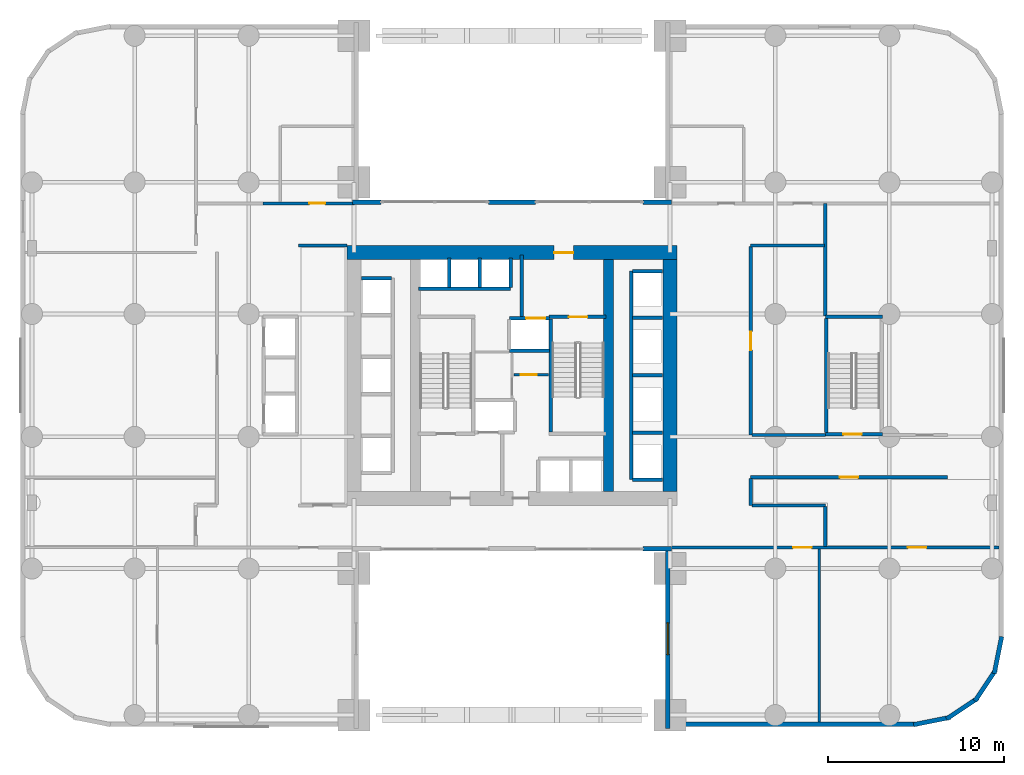
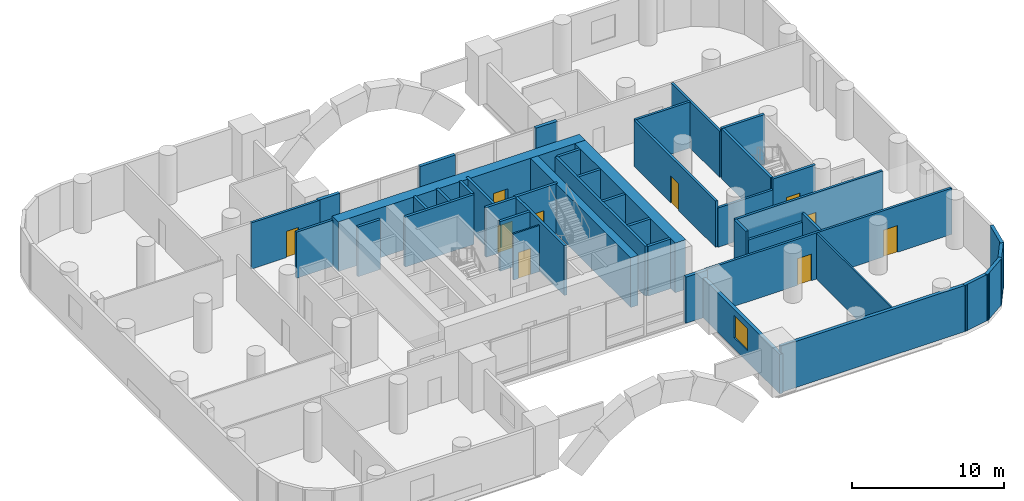
# One storey, part 6 of 9: 45 walls, 10 doors, 1 window, 11 openings.
"""IFC4 building model written with IfcOpenShell, lengths in metres."""

from ifc_helpers import new_model, si_unit, direction, frame, frame_2d, origin, place, context, subcontext, project, spatial, rectangle, extrude, material, layer, layer_set, type_object, element, fill, save


model = new_model("IFC4")

# Units and contexts
model_context = context("Model", 3, precision=1e-05, world=origin(), true_north=direction((0.0, 1.0)))
body_context = subcontext(model_context, "Body", "Model", "MODEL_VIEW")
ifc_project = project(units=[si_unit("LENGTHUNIT", "METRE"), si_unit("AREAUNIT", "SQUARE_METRE"), si_unit("VOLUMEUNIT", "CUBIC_METRE"), si_unit("PLANEANGLEUNIT", "RADIAN"), si_unit("MASSUNIT", "GRAM", prefix="KILO")], contexts=[model_context])

# Site, building, storey
site_placement = place(None, origin())
site = spatial("IfcSite", under=ifc_project, at=site_placement, CompositionType="ELEMENT")
building_placement = place(site_placement, origin())
building = spatial("IfcBuilding", under=site, at=building_placement, Name="Veldorim Arch Residences", CompositionType="ELEMENT")
storey_placement = place(building_placement, frame((0.0, 0.0, 8.0)))
storey = spatial("IfcBuildingStorey", under=building, at=storey_placement, Name="L02", CompositionType="ELEMENT", Elevation=8.0)

# Wall, opening, door
ifc_material_1 = material(Name="Acoustic Gypsum Board", Category="gypsum")
ifc_layer_1 = layer(ifc_material_1, 0.125, Name="Acoustic Stud Room Partition Wall 125")
ifc_layer_set_1 = layer_set([ifc_layer_1], Name="Acoustic Gypsum Board")
wall_type_1 = type_object("IfcWallType", Name="Acoustic Stud Room Partition Wall 125", PredefinedType="PARTITIONING", material=ifc_layer_set_1)
wall_1_placement = place(storey_placement, frame((32.110107421875, 24.0400390625, 0.0), z_axis=(0.0, 0.0, 1.0), x_axis=(1.0, 0.0, 0.0)))
wall_1 = element("IfcWall", 1, at=wall_1_placement, inside=storey, type_object=wall_type_1, Name="L02 interior wall WL-CA-L02-3", PredefinedType="PARTITIONING", context=body_context, shape_type="SweptSolid", body=[
    extrude(rectangle(XDim=1.969970703125, YDim=0.125, at=frame_2d((0.98486328125, 0.0))), origin(), (0.0, 0.0, 1.0), 3.715087890625),
])
opening_1_placement = place(wall_1_placement, frame((0.389892578125, 0.0, 0.0)))
opening_1 = element("IfcOpeningElement", 2, at=opening_1_placement, cuts=wall_1, Name="Opening DR-INT", PredefinedType="OPENING", context=body_context, shape_type="SweptSolid", body=[
    extrude(rectangle(XDim=0.89990234375, YDim=2.10009765625, at=frame_2d((0.449951171875, 1.050048828125))), frame((0.0, 0.072509765625, 0.0), z_axis=(0.0, -1.0, 0.0), x_axis=(1.0, 0.0, 0.0)), (0.0, 0.0, 1.0), 0.14501953125),
])
ifc_material_2 = material(Name="Engineered Timber", Category="wood")
door_type_1 = type_object("IfcDoorType", Name="Apartment Internal Room Timber Door 900x2100", OperationType="SINGLE_SWING_LEFT", PredefinedType="DOOR", material=ifc_material_2)
door_1_placement = place(opening_1_placement, origin())
door_1 = element("IfcDoor", 3, at=door_1_placement, inside=storey, type_object=door_type_1, Name="L02 interior door DR-L02-CA1", OperationType="SINGLE_SWING_LEFT", OverallHeight=2.10009765625, OverallWidth=0.89990234375, PredefinedType="DOOR", context=body_context, shape_type="SweptSolid", body=[
    extrude(rectangle(XDim=0.89990234375, YDim=2.10009765625, at=frame_2d((0.449951171875, 1.050048828125))), frame((0.0, 0.02490234375, 0.0), z_axis=(0.0, -1.0, 0.0), x_axis=(1.0, 0.0, 0.0)), (0.0, 0.0, 1.0), 0.050048828125),
])
fill(opening_1, door_1)

# Wall
wall_2_placement = place(storey_placement, frame((49.5, 14.10009765625, 0.0), z_axis=(0.0, 0.0, 1.0), x_axis=(0.0, -1.0, 0.0)))
element("IfcWall", 4, at=wall_2_placement, inside=storey, type_object=wall_type_1, Name="L02 interior wall WL-POD-L02-027", PredefinedType="PARTITIONING", context=body_context, shape_type="SweptSolid", body=[
    extrude(rectangle(XDim=9.85009765625, YDim=0.125, at=frame_2d((4.925048828125, 0.0))), origin(), (0.0, 0.0, 1.0), 3.715087890625),
])

# Wall, opening, door
ifc_material_3 = material(Name="Lightweight Masonry Block & Gypsum", Category="masonry")
ifc_layer_2 = layer(ifc_material_3, 0.179931640625, Name="Compartment & Corridor Fire-Rated Party Wall 180")
ifc_layer_set_2 = layer_set([ifc_layer_2], Name="Lightweight Masonry Block & Gypsum")
wall_type_2 = type_object("IfcWallType", Name="Compartment & Corridor Fire-Rated Party Wall 180", PredefinedType="PARTITIONING", material=ifc_layer_set_2)
wall_3_placement = place(storey_placement, frame((17.800048828125, 33.800048828125, 0.0), z_axis=(0.0, 0.0, 1.0), x_axis=(1.0, 0.0, 0.0)))
wall_3 = element("IfcWall", 5, at=wall_3_placement, inside=storey, type_object=wall_type_2, Name="L02 interior wall WL-POD-L02-006", PredefinedType="PARTITIONING", context=body_context, shape_type="SweptSolid", body=[
    extrude(rectangle(XDim=5.219970703125, YDim=0.179931640625, at=frame_2d((2.60986328125, 0.0))), origin(), (0.0, 0.0, 1.0), 3.715087890625),
])
opening_2_placement = place(wall_3_placement, frame((2.64990234375, 0.0, 0.0)))
opening_2 = element("IfcOpeningElement", 6, at=opening_2_placement, cuts=wall_3, Name="Opening DR-WC", PredefinedType="OPENING", context=body_context, shape_type="SweptSolid", body=[
    extrude(rectangle(XDim=0.89990234375, YDim=2.10009765625, at=frame_2d((0.449951171875, 1.050048828125))), frame((0.0, 0.099853515625, 0.0), z_axis=(0.0, -1.0, 0.0), x_axis=(1.0, 0.0, 0.0)), (0.0, 0.0, 1.0), 0.199951171875),
])
ifc_material_4 = material(Name="Laminate Timber", Category="wood")
door_type_2 = type_object("IfcDoorType", Name="Bathroom & Accessible WC Moisture-Sealed Door 900x2100", OperationType="SINGLE_SWING_LEFT", PredefinedType="DOOR", material=ifc_material_4)
door_2_placement = place(opening_2_placement, origin())
door_2 = element("IfcDoor", 7, at=door_2_placement, inside=storey, type_object=door_type_2, Name="L02 interior door DR-POD-L02-006", OperationType="SINGLE_SWING_RIGHT", OverallHeight=2.10009765625, OverallWidth=0.89990234375, PredefinedType="DOOR", context=body_context, shape_type="SweptSolid", body=[
    extrude(rectangle(XDim=0.89990234375, YDim=2.10009765625, at=frame_2d((0.449951171875, 1.050048828125))), frame((0.0, 0.02490234375, 0.0), z_axis=(0.0, -1.0, 0.0), x_axis=(1.0, 0.0, 0.0)), (0.0, 0.0, 1.0), 0.050048828125),
])
fill(opening_2, door_2)

# Wall
wall_4_placement = place(storey_placement, frame((22.60009765625, 31.39990234375, 0.0), z_axis=(0.0, 0.0, 1.0), x_axis=(-1.0, 0.0, 0.0)))
element("IfcWall", 8, at=wall_4_placement, inside=storey, type_object=wall_type_2, Name="L02 interior wall WL-POD-L02-009", PredefinedType="PARTITIONING", context=body_context, shape_type="SweptSolid", body=[
    extrude(rectangle(XDim=2.77001953125, YDim=0.179931640625, at=frame_2d((1.385009765625, 0.0))), origin(), (0.0, 0.0, 1.0), 3.715087890625),
])

# Wall, openings, doors
wall_5_placement = place(storey_placement, frame((59.75, 14.199951171875, 0.0), z_axis=(0.0, 0.0, 1.0), x_axis=(-1.0, 0.0, 0.0)))
wall_5 = element("IfcWall", 9, at=wall_5_placement, inside=storey, type_object=wall_type_2, Name="L02 interior wall WL-POD-L02-010", PredefinedType="PARTITIONING", context=body_context, shape_type="SweptSolid", body=[
    extrude(rectangle(XDim=18.77001953125, YDim=0.179931640625, at=frame_2d((9.385009765625, 0.0))), origin(), (0.0, 0.0, 1.0), 3.715087890625),
])
opening_3_placement = place(wall_5_placement, frame((10.68505859375, 0.0, 0.0)))
opening_3 = element("IfcOpeningElement", 10, at=opening_3_placement, cuts=wall_5, Name="Opening DR-CLN", PredefinedType="OPENING", context=body_context, shape_type="SweptSolid", body=[
    extrude(rectangle(XDim=1.050048828125, YDim=2.14990234375, at=frame_2d((0.52490234375, 1.074951171875))), frame((0.0, 0.099853515625, 0.0), z_axis=(0.0, -1.0, 0.0), x_axis=(1.0, 0.0, 0.0)), (0.0, 0.0, 1.0), 0.199951171875),
])
opening_4_placement = place(wall_5_placement, frame((4.14501953125, 0.0, 0.0)))
opening_4 = element("IfcOpeningElement", 11, at=opening_4_placement, cuts=wall_5, Name="Opening DR-CLN", PredefinedType="OPENING", context=body_context, shape_type="SweptSolid", body=[
    extrude(rectangle(XDim=1.050048828125, YDim=2.14990234375, at=frame_2d((0.52490234375, 1.074951171875))), frame((0.0, 0.099853515625, 0.0), z_axis=(0.0, -1.0, 0.0), x_axis=(1.0, 0.0, 0.0)), (0.0, 0.0, 1.0), 0.199951171875),
])
ifc_material_5 = material(Name="Timber & Vision Panel", Category="wood")
door_type_3 = type_object("IfcDoorType", Name="Polyclinic Wheelchair-Accessible Consultation Door 1050x2150", OperationType="SINGLE_SWING_LEFT", PredefinedType="DOOR", material=ifc_material_5)
door_3_placement = place(opening_3_placement, origin())
door_3 = element("IfcDoor", 12, at=door_3_placement, inside=storey, type_object=door_type_3, Name="L02 interior door DR-POD-L02-009", OperationType="SINGLE_SWING_LEFT", OverallHeight=2.14990234375, OverallWidth=1.050048828125, PredefinedType="DOOR", context=body_context, shape_type="SweptSolid", body=[
    extrude(rectangle(XDim=1.050048828125, YDim=2.14990234375, at=frame_2d((0.52490234375, 1.074951171875))), frame((0.0, 0.02490234375, 0.0), z_axis=(0.0, -1.0, 0.0), x_axis=(1.0, 0.0, 0.0)), (0.0, 0.0, 1.0), 0.050048828125),
])
fill(opening_3, door_3)
door_4_placement = place(opening_4_placement, origin())
door_4 = element("IfcDoor", 13, at=door_4_placement, inside=storey, type_object=door_type_3, Name="L02 interior door DR-POD-L02-010", OperationType="SINGLE_SWING_RIGHT", OverallHeight=2.14990234375, OverallWidth=1.050048828125, PredefinedType="DOOR", context=body_context, shape_type="SweptSolid", body=[
    extrude(rectangle(XDim=1.050048828125, YDim=2.14990234375, at=frame_2d((0.52490234375, 1.074951171875))), frame((0.0, 0.02490234375, 0.0), z_axis=(0.0, -1.0, 0.0), x_axis=(1.0, 0.0, 0.0)), (0.0, 0.0, 1.0), 0.050048828125),
])
fill(opening_4, door_4)

# Wall, opening, door
wall_6_placement = place(storey_placement, frame((56.800048828125, 18.199951171875, 0.0), z_axis=(0.0, 0.0, 1.0), x_axis=(-1.0, 0.0, 0.0)))
wall_6 = element("IfcWall", 14, at=wall_6_placement, inside=storey, type_object=wall_type_2, Name="L02 interior wall WL-POD-L02-011", PredefinedType="PARTITIONING", context=body_context, shape_type="SweptSolid", body=[
    extrude(rectangle(XDim=11.199951171875, YDim=0.179931640625, at=frame_2d((5.60009765625, 0.0))), origin(), (0.0, 0.0, 1.0), 3.715087890625),
])
opening_5_placement = place(wall_6_placement, frame((5.074951171875, 0.0, 0.0)))
opening_5 = element("IfcOpeningElement", 15, at=opening_5_placement, cuts=wall_6, Name="Opening DR-CLN", PredefinedType="OPENING", context=body_context, shape_type="SweptSolid", body=[
    extrude(rectangle(XDim=1.050048828125, YDim=2.14990234375, at=frame_2d((0.52490234375, 1.074951171875))), frame((0.0, 0.099853515625, 0.0), z_axis=(0.0, -1.0, 0.0), x_axis=(1.0, 0.0, 0.0)), (0.0, 0.0, 1.0), 0.199951171875),
])
door_5_placement = place(opening_5_placement, origin())
door_5 = element("IfcDoor", 16, at=door_5_placement, inside=storey, type_object=door_type_3, Name="L02 interior door DR-POD-L02-011", OperationType="SINGLE_SWING_LEFT", OverallHeight=2.14990234375, OverallWidth=1.050048828125, PredefinedType="DOOR", context=body_context, shape_type="SweptSolid", body=[
    extrude(rectangle(XDim=1.050048828125, YDim=2.14990234375, at=frame_2d((0.52490234375, 1.074951171875))), frame((0.0, 0.02490234375, 0.0), z_axis=(0.0, -1.0, 0.0), x_axis=(1.0, 0.0, 0.0)), (0.0, 0.0, 1.0), 0.050048828125),
])
fill(opening_5, door_5)

# Walls
wall_7_placement = place(storey_placement, frame((45.60009765625, 18.139892578125, 0.0), z_axis=(0.0, 0.0, 1.0), x_axis=(0.0, -1.0, 0.0)))
element("IfcWall", 17, at=wall_7_placement, inside=storey, type_object=wall_type_2, Name="L02 interior wall WL-POD-L02-012", PredefinedType="PARTITIONING", context=body_context, shape_type="SweptSolid", body=[
    extrude(rectangle(XDim=1.539794921875, YDim=0.179931640625, at=frame_2d((0.77001953125, 0.0))), origin(), (0.0, 0.0, 1.0), 3.715087890625),
])
wall_8_placement = place(storey_placement, frame((45.659912109375, 16.60009765625, 0.0), z_axis=(0.0, 0.0, 1.0), x_axis=(1.0, 0.0, 0.0)))
element("IfcWall", 18, at=wall_8_placement, inside=storey, type_object=wall_type_2, Name="L02 interior wall WL-POD-L02-013", PredefinedType="PARTITIONING", context=body_context, shape_type="SweptSolid", body=[
    extrude(rectangle(XDim=4.190185546875, YDim=0.179931640625, at=frame_2d((2.09521484375, 0.0))), origin(), (0.0, 0.0, 1.0), 3.008056640625),
])
wall_9_placement = place(storey_placement, frame((49.85009765625, 16.5400390625, 0.0), z_axis=(0.0, 0.0, 1.0), x_axis=(0.0, -1.0, 0.0)))
element("IfcWall", 19, at=wall_9_placement, inside=storey, type_object=wall_type_2, Name="L02 interior wall WL-POD-L02-014", PredefinedType="PARTITIONING", context=body_context, shape_type="SweptSolid", body=[
    extrude(rectangle(XDim=2.280029296875, YDim=0.179931640625, at=frame_2d((1.14013671875, 0.0))), origin(), (0.0, 0.0, 1.0), 3.715087890625),
])
wall_10_placement = place(storey_placement, frame((49.85009765625, 33.800048828125, 0.0), z_axis=(0.0, 0.0, 1.0), x_axis=(0.0, -1.0, 0.0)))
element("IfcWall", 20, at=wall_10_placement, inside=storey, type_object=wall_type_2, Name="L02 interior wall WL-POD-L02-015", PredefinedType="PARTITIONING", context=body_context, shape_type="SweptSolid", body=[
    extrude(rectangle(XDim=6.400146484375, YDim=0.179931640625, at=frame_2d((3.2001953125, 0.0))), origin(), (0.0, 0.0, 1.0), 3.715087890625),
])
wall_11_placement = place(storey_placement, frame((49.7900390625, 31.39990234375, 0.0), z_axis=(0.0, 0.0, 1.0), x_axis=(-1.0, 0.0, 0.0)))
element("IfcWall", 21, at=wall_11_placement, inside=storey, type_object=wall_type_2, Name="L02 interior wall WL-POD-L02-017", PredefinedType="PARTITIONING", context=body_context, shape_type="SweptSolid", body=[
    extrude(rectangle(XDim=4.18994140625, YDim=0.179931640625, at=frame_2d((2.094970703125, 0.0))), origin(), (0.0, 0.0, 1.0), 3.715087890625),
])

# Wall, opening, door
wall_12_placement = place(storey_placement, frame((45.60009765625, 31.340087890625, 0.0), z_axis=(0.0, 0.0, 1.0), x_axis=(0.0, -1.0, 0.0)))
wall_12 = element("IfcWall", 22, at=wall_12_placement, inside=storey, type_object=wall_type_2, Name="L02 interior wall WL-POD-L02-018", PredefinedType="PARTITIONING", context=body_context, shape_type="SweptSolid", body=[
    extrude(rectangle(XDim=10.739990234375, YDim=0.179931640625, at=frame_2d((5.3701171875, 0.0))), origin(), (0.0, 0.0, 1.0), 3.715087890625),
])
opening_6_placement = place(wall_12_placement, frame((4.844970703125, 0.0, 0.0)))
opening_6 = element("IfcOpeningElement", 23, at=opening_6_placement, cuts=wall_12, Name="Opening DR-CLN", PredefinedType="OPENING", context=body_context, shape_type="SweptSolid", body=[
    extrude(rectangle(XDim=1.050048828125, YDim=2.14990234375, at=frame_2d((0.52490234375, 1.074951171875))), frame((0.0, 0.099853515625, 0.0), z_axis=(0.0, -1.0, 0.0), x_axis=(1.0, 0.0, 0.0)), (0.0, 0.0, 1.0), 0.199951171875),
])
door_6_placement = place(opening_6_placement, origin())
door_6 = element("IfcDoor", 24, at=door_6_placement, inside=storey, type_object=door_type_3, Name="L02 interior door DR-POD-L02-013", OperationType="SINGLE_SWING_LEFT", OverallHeight=2.14990234375, OverallWidth=1.050048828125, PredefinedType="DOOR", context=body_context, shape_type="SweptSolid", body=[
    extrude(rectangle(XDim=1.050048828125, YDim=2.14990234375, at=frame_2d((0.52490234375, 1.074951171875))), frame((0.0, 0.02490234375, 0.0), z_axis=(0.0, -1.0, 0.0), x_axis=(1.0, 0.0, 0.0)), (0.0, 0.0, 1.0), 0.050048828125),
])
fill(opening_6, door_6)

# Walls
wall_13_placement = place(storey_placement, frame((45.659912109375, 20.60009765625, 0.0), z_axis=(0.0, 0.0, 1.0), x_axis=(1.0, 0.0, 0.0)))
element("IfcWall", 25, at=wall_13_placement, inside=storey, type_object=wall_type_2, Name="L02 interior wall WL-POD-L02-019", PredefinedType="PARTITIONING", context=body_context, shape_type="SweptSolid", body=[
    extrude(rectangle(XDim=4.190185546875, YDim=0.179931640625, at=frame_2d((2.09521484375, 0.0))), origin(), (0.0, 0.0, 1.0), 3.16357421875),
])
ifc_material_6 = material(Name="Concrete C50/60", Category="concrete")
ifc_layer_3 = layer(ifc_material_6, 0.199951171875, Name="Core Stair & Lift Shaft Enclosure Wall 200")
ifc_layer_set_3 = layer_set([ifc_layer_3], Name="Concrete C50/60")
wall_type_3 = type_object("IfcWallType", Name="Core Stair & Lift Shaft Enclosure Wall 200", PredefinedType="SHEAR", material=ifc_layer_set_3)
wall_14_placement = place(storey_placement, frame((34.2099609375, 20.780029296875, 0.0), z_axis=(0.0, 0.0, 1.0), x_axis=(0.0, 1.0, 0.0)))
element("IfcWall", 26, at=wall_14_placement, inside=storey, type_object=wall_type_3, Name="L02 shaft wall WL-SHF-L02-ST2-W", PredefinedType="SHEAR", context=body_context, shape_type="SweptSolid", body=[
    extrude(rectangle(XDim=6.43994140625, YDim=0.199951171875, at=frame_2d((3.219970703125, 0.0))), origin(), (0.0, 0.0, 1.0), 4.0),
])

# Wall, opening, door
wall_15_placement = place(storey_placement, frame((34.110107421875, 27.330078125, 0.0), z_axis=(0.0, 0.0, 1.0), x_axis=(1.0, 0.0, 0.0)))
wall_15 = element("IfcWall", 27, at=wall_15_placement, inside=storey, type_object=wall_type_3, Name="L02 shaft wall WL-SHF-L02-ST2-N", PredefinedType="SHEAR", context=body_context, shape_type="SweptSolid", body=[
    extrude(rectangle(XDim=3.239990234375, YDim=0.199951171875, at=frame_2d((1.6201171875, 0.0))), origin(), (0.0, 0.0, 1.0), 4.0),
])
opening_7_placement = place(wall_15_placement, frame((1.135009765625, 0.0, 0.0)))
opening_7 = element("IfcOpeningElement", 28, at=opening_7_placement, cuts=wall_15, Name="Opening DR-ST", PredefinedType="OPENING", context=body_context, shape_type="SweptSolid", body=[
    extrude(rectangle(XDim=1.050048828125, YDim=2.14990234375, at=frame_2d((0.52490234375, 1.074951171875))), frame((0.0, 0.10986328125, 0.0), z_axis=(0.0, -1.0, 0.0), x_axis=(1.0, 0.0, 0.0)), (0.0, 0.0, 1.0), 0.219970703125),
])
ifc_material_7 = material(Name="Fire-Rated Steel", Category="steel")
door_type_4 = type_object("IfcDoorType", Name="Exit Staircase Self-Closing Fire Door 1050x2150", OperationType="SINGLE_SWING_LEFT", PredefinedType="DOOR", material=ifc_material_7)
door_7_placement = place(opening_7_placement, origin())
door_7 = element("IfcDoor", 29, at=door_7_placement, inside=storey, type_object=door_type_4, Name="L02 interior door DR-L02-ST2", OperationType="SINGLE_SWING_RIGHT", OverallHeight=2.14990234375, OverallWidth=1.050048828125, PredefinedType="DOOR", context=body_context, shape_type="SweptSolid", body=[
    extrude(rectangle(XDim=1.050048828125, YDim=2.14990234375, at=frame_2d((0.52490234375, 1.074951171875))), frame((0.0, 0.02490234375, 0.0), z_axis=(0.0, -1.0, 0.0), x_axis=(1.0, 0.0, 0.0)), (0.0, 0.0, 1.0), 0.050048828125),
])
fill(opening_7, door_7)

# Wall
wall_16_placement = place(storey_placement, frame((32.550048828125, 27.35009765625, 0.0), z_axis=(0.0, 0.0, 1.0), x_axis=(0.0, 1.0, 0.0)))
element("IfcWall", 30, at=wall_16_placement, inside=storey, type_object=wall_type_3, Name="L02 shaft wall WL-FFL2-L02-W", PredefinedType="SHEAR", context=body_context, shape_type="SweptSolid", body=[
    extrude(rectangle(XDim=3.5, YDim=0.199951171875, at=frame_2d((1.75, 0.0))), origin(), (0.0, 0.0, 1.0), 4.0),
])

# Wall, opening, door
wall_17_placement = place(storey_placement, frame((31.85009765625, 27.25, 0.0), z_axis=(0.0, 0.0, 1.0), x_axis=(1.0, 0.0, 0.0)))
wall_17 = element("IfcWall", 31, at=wall_17_placement, inside=storey, type_object=wall_type_3, Name="L02 shaft wall WL-FL02-L02-N", PredefinedType="SHEAR", context=body_context, shape_type="SweptSolid", body=[
    extrude(rectangle(XDim=2.2998046875, YDim=0.199951171875, at=frame_2d((1.14990234375, 0.0))), origin(), (0.0, 0.0, 1.0), 4.0),
])
opening_8_placement = place(wall_17_placement, frame((0.949951171875, 0.0, 0.0)))
opening_8 = element("IfcOpeningElement", 32, at=opening_8_placement, cuts=wall_17, Name="Opening LD-FF", PredefinedType="OPENING", context=body_context, shape_type="SweptSolid", body=[
    extrude(rectangle(XDim=1.10009765625, YDim=2.14990234375, at=frame_2d((0.550048828125, 1.074951171875))), frame((0.0, 0.10986328125, 0.0), z_axis=(0.0, -1.0, 0.0), x_axis=(1.0, 0.0, 0.0)), (0.0, 0.0, 1.0), 0.219970703125),
])
ifc_material_8 = material(Name="Stainless Steel", Category="steel")
door_type_5 = type_object("IfcDoorType", Name="Firefighting Lift Bi-Parting Sliding Landing Door 1100x2150", OperationType="DOUBLE_DOOR_SLIDING", PredefinedType="DOOR", material=ifc_material_8)
door_8_placement = place(opening_8_placement, origin())
door_8 = element("IfcDoor", 33, at=door_8_placement, inside=storey, type_object=door_type_5, Name="L02 lift landing door LD-L02-FL02", OperationType="DOUBLE_DOOR_SLIDING", OverallHeight=2.14990234375, OverallWidth=1.10009765625, PredefinedType="DOOR", context=body_context, shape_type="SweptSolid", body=[
    extrude(rectangle(XDim=1.10009765625, YDim=2.14990234375, at=frame_2d((0.550048828125, 1.074951171875))), frame((0.0, 0.02490234375, 0.0), z_axis=(0.0, -1.0, 0.0), x_axis=(1.0, 0.0, 0.0)), (0.0, 0.0, 1.0), 0.050048828125),
])
fill(opening_8, door_8)

# Walls
wall_18_placement = place(storey_placement, frame((31.85009765625, 25.39990234375, 0.0), z_axis=(0.0, 0.0, 1.0), x_axis=(1.0, 0.0, 0.0)))
element("IfcWall", 34, at=wall_18_placement, inside=storey, type_object=wall_type_3, Name="L02 shaft wall WL-FL02-L02-S", PredefinedType="SHEAR", context=body_context, shape_type="SweptSolid", body=[
    extrude(rectangle(XDim=2.2998046875, YDim=0.199951171875, at=frame_2d((1.14990234375, 0.0))), origin(), (0.0, 0.0, 1.0), 4.0),
])
wall_19_placement = place(storey_placement, frame((38.800048828125, 18.06005859375, 0.0), z_axis=(0.0, 0.0, 1.0), x_axis=(0.0, 1.0, 0.0)))
element("IfcWall", 35, at=wall_19_placement, inside=storey, type_object=wall_type_3, Name="L02 shaft wall WL-B1-L02-W", PredefinedType="SHEAR", context=body_context, shape_type="SweptSolid", body=[
    extrude(rectangle(XDim=11.8798828125, YDim=0.199951171875, at=frame_2d((5.93994140625, 0.0))), origin(), (0.0, 0.0, 1.0), 4.0),
])
for number, where, z_axis, x_axis, name in (
    (36, (38.8701171875, 18.06005859375, 0.0), (0.0, 0.0, 1.0), (1.0, 0.0, 0.0), "L02 shaft wall WL-B1-L02-S"),
    (37, (38.8701171875, 29.93994140625, 0.0), (0.0, 0.0, 1.0), (1.0, 0.0, 0.0), "L02 shaft wall WL-B1-L02-N"),
    (38, (38.8701171875, 20.72509765625, 0.0), (0.0, 0.0, 1.0), (1.0, 0.0, 0.0), "L02 shaft wall WL-B1-L02-D1"),
    (39, (38.8701171875, 24.0, 0.0), (0.0, 0.0, 1.0), (1.0, 0.0, 0.0), "L02 shaft wall WL-B1-L02-D2"),
    (40, (38.8701171875, 27.27490234375, 0.0), (0.0, 0.0, 1.0), (1.0, 0.0, 0.0), "L02 shaft wall WL-B1-L02-D3"),
    (41, (23.419921875, 29.5400390625, 0.0), (0.0, 0.0, 1.0), (1.0, 0.0, 0.0), "L02 shaft wall WL-B2-L02-N"),
):
    element("IfcWall", number, at=place(storey_placement, frame(where, z_axis=z_axis, x_axis=x_axis)), inside=storey, type_object=wall_type_3, Name=name, PredefinedType="SHEAR", context=body_context, shape_type="SweptSolid", body=[
        extrude(rectangle(XDim=1.7099609375, YDim=0.199951171875, at=frame_2d((0.85498046875, 0.0))), origin(), (0.0, 0.0, 1.0), 4.0),
    ])
wall_20_placement = place(storey_placement, frame((26.679931640625, 28.949951171875, 0.0), z_axis=(0.0, 0.0, 1.0), x_axis=(1.0, 0.0, 0.0)))
element("IfcWall", 42, at=wall_20_placement, inside=storey, type_object=wall_type_3, Name="L02 shaft wall WL-B3-L02-S", PredefinedType="SHEAR", context=body_context, shape_type="SweptSolid", body=[
    extrude(rectangle(XDim=5.239990234375, YDim=0.199951171875, at=frame_2d((2.6201171875, 0.0))), origin(), (0.0, 0.0, 1.0), 4.0),
])
for number, where, z_axis, x_axis, name in (
    (43, (31.919921875, 29.02001953125, 0.0), (0.0, 0.0, 1.0), (0.0, 1.0, 0.0), "L02 shaft wall WL-B3-L02-E"),
    (44, (28.425048828125, 29.02001953125, 0.0), (0.0, 0.0, 1.0), (0.0, 1.0, 0.0), "L02 shaft wall WL-B3-L02-D1"),
    (45, (30.175048828125, 29.02001953125, 0.0), (0.0, 0.0, 1.0), (0.0, 1.0, 0.0), "L02 shaft wall WL-B3-L02-D2"),
):
    element("IfcWall", number, at=place(storey_placement, frame(where, z_axis=z_axis, x_axis=x_axis)), inside=storey, type_object=wall_type_3, Name=name, PredefinedType="SHEAR", context=body_context, shape_type="SweptSolid", body=[
        extrude(rectangle(XDim=1.659912109375, YDim=0.199951171875, at=frame_2d((0.830078125, 0.0))), origin(), (0.0, 0.0, 1.0), 4.0),
    ])
wall_21_placement = place(storey_placement, frame((49.89990234375, 20.760009765625, 0.0), z_axis=(0.0, 0.0, 1.0), x_axis=(0.0, 1.0, 0.0)))
element("IfcWall", 46, at=wall_21_placement, inside=storey, type_object=wall_type_3, Name="L02 shaft wall WL-SHF-L02-ST3-W", PredefinedType="SHEAR", context=body_context, shape_type="SweptSolid", body=[
    extrude(rectangle(XDim=6.47998046875, YDim=0.199951171875, at=frame_2d((3.239990234375, 0.0))), origin(), (0.0, 0.0, 1.0), 4.0),
])

# Wall, opening, door
wall_22_placement = place(storey_placement, frame((49.85009765625, 20.64990234375, 0.0), z_axis=(0.0, 0.0, 1.0), x_axis=(1.0, 0.0, 0.0)))
wall_22 = element("IfcWall", 47, at=wall_22_placement, inside=storey, type_object=wall_type_3, Name="L02 shaft wall WL-SHF-L02-ST3-S", PredefinedType="SHEAR", context=body_context, shape_type="SweptSolid", body=[
    extrude(rectangle(XDim=3.260009765625, YDim=0.199951171875, at=frame_2d((1.6298828125, 0.0))), origin(), (0.0, 0.0, 1.0), 4.0),
])
opening_9_placement = place(wall_22_placement, frame((1.02490234375, 0.0, 0.0)))
opening_9 = element("IfcOpeningElement", 48, at=opening_9_placement, cuts=wall_22, Name="Opening DR-ST", PredefinedType="OPENING", context=body_context, shape_type="SweptSolid", body=[
    extrude(rectangle(XDim=1.050048828125, YDim=2.14990234375, at=frame_2d((0.52490234375, 1.074951171875))), frame((0.0, 0.10986328125, 0.0), z_axis=(0.0, -1.0, 0.0), x_axis=(1.0, 0.0, 0.0)), (0.0, 0.0, 1.0), 0.219970703125),
])
door_9_placement = place(opening_9_placement, origin())
door_9 = element("IfcDoor", 49, at=door_9_placement, inside=storey, type_object=door_type_4, Name="L02 interior door DR-L02-ST3", OperationType="SINGLE_SWING_LEFT", OverallHeight=2.14990234375, OverallWidth=1.050048828125, PredefinedType="DOOR", context=body_context, shape_type="SweptSolid", body=[
    extrude(rectangle(XDim=1.050048828125, YDim=2.14990234375, at=frame_2d((0.52490234375, 1.074951171875))), frame((0.0, 0.02490234375, 0.0), z_axis=(0.0, -1.0, 0.0), x_axis=(1.0, 0.0, 0.0)), (0.0, 0.0, 1.0), 0.050048828125),
])
fill(opening_9, door_9)

# Walls
wall_23_placement = place(storey_placement, frame((49.85009765625, 27.35009765625, 0.0), z_axis=(0.0, 0.0, 1.0), x_axis=(1.0, 0.0, 0.0)))
element("IfcWall", 50, at=wall_23_placement, inside=storey, type_object=wall_type_3, Name="L02 shaft wall WL-SHF-L02-ST3-N", PredefinedType="SHEAR", context=body_context, shape_type="SweptSolid", body=[
    extrude(rectangle(XDim=3.260009765625, YDim=0.199951171875, at=frame_2d((1.6298828125, 0.0))), origin(), (0.0, 0.0, 1.0), 4.0),
])
ifc_material_9 = material(Name="Concrete C60/75", Category="concrete")
ifc_layer_4 = layer(ifc_material_9, 0.56005859375, Name="Internal Core Shear Web Wall 560")
ifc_layer_set_4 = layer_set([ifc_layer_4], Name="Concrete C60/75")
wall_type_4 = type_object("IfcWallType", Name="Internal Core Shear Web Wall 560", PredefinedType="SHEAR", material=ifc_layer_set_4)
wall_24_placement = place(storey_placement, frame((37.5, 17.39990234375, 0.0), z_axis=(0.0, 0.0, 1.0), x_axis=(0.0, 1.0, 0.0)))
element("IfcWall", 51, at=wall_24_placement, inside=storey, type_object=wall_type_4, Name="L02 core east internal shear web", PredefinedType="SHEAR", context=body_context, shape_type="SweptSolid", body=[
    extrude(rectangle(XDim=13.2001953125, YDim=0.56005859375, at=frame_2d((6.60009765625, 0.0))), origin(), (0.0, 0.0, 1.0), 4.0),
])

# Wall, opening, door
ifc_material_10 = material(Name="Concrete C60/75", Category="concrete")
ifc_layer_5 = layer(ifc_material_10, 0.800048828125, Name="Lower Central Core Shear Wall 800")
ifc_layer_set_5 = layer_set([ifc_layer_5], Name="Concrete C60/75")
wall_type_5 = type_object("IfcWallType", Name="Lower Central Core Shear Wall 800", PredefinedType="SHEAR", material=ifc_layer_set_5)
wall_25_placement = place(storey_placement, frame((22.60009765625, 31.0, 0.0), z_axis=(0.0, 0.0, 1.0), x_axis=(1.0, 0.0, 0.0)))
wall_25 = element("IfcWall", 52, at=wall_25_placement, inside=storey, type_object=wall_type_5, Name="L02 central core north shear wall", PredefinedType="SHEAR", context=body_context, shape_type="SweptSolid", body=[
    extrude(rectangle(XDim=18.7998046875, YDim=0.800048828125, at=frame_2d((9.39990234375, 0.0))), origin(), (0.0, 0.0, 1.0), 4.0),
])
opening_10_placement = place(wall_25_placement, frame((11.800048828125, 0.0, 0.0)))
opening_10 = element("IfcOpeningElement", 53, at=opening_10_placement, cuts=wall_25, Name="Opening DR-FFL", PredefinedType="OPENING", context=body_context, shape_type="SweptSolid", body=[
    extrude(rectangle(XDim=1.10009765625, YDim=2.14990234375, at=frame_2d((0.550048828125, 1.074951171875))), frame((0.0, 0.409912109375, 0.0), z_axis=(0.0, -1.0, 0.0), x_axis=(1.0, 0.0, 0.0)), (0.0, 0.0, 1.0), 0.820068359375),
])
ifc_material_11 = material(Name="Fire-Rated Steel & Vision Glass", Category="steel")
door_type_6 = type_object("IfcDoorType", Name="Firefighting Lobby Smoke-Stop Fire Door 1100x2150", OperationType="SINGLE_SWING_LEFT", PredefinedType="DOOR", material=ifc_material_11)
door_10_placement = place(opening_10_placement, origin())
door_10 = element("IfcDoor", 54, at=door_10_placement, inside=storey, type_object=door_type_6, Name="L02 interior door DR-L02-FFL2", OperationType="SINGLE_SWING_LEFT", OverallHeight=2.14990234375, OverallWidth=1.10009765625, PredefinedType="DOOR", context=body_context, shape_type="SweptSolid", body=[
    extrude(rectangle(XDim=1.10009765625, YDim=2.14990234375, at=frame_2d((0.550048828125, 1.074951171875))), frame((0.0, 0.02490234375, 0.0), z_axis=(0.0, -1.0, 0.0), x_axis=(1.0, 0.0, 0.0)), (0.0, 0.0, 1.0), 0.050048828125),
])
fill(opening_10, door_10)

# Walls
wall_26_placement = place(storey_placement, frame((41.0, 17.39990234375, 0.0), z_axis=(0.0, 0.0, 1.0), x_axis=(0.0, 1.0, 0.0)))
element("IfcWall", 55, at=wall_26_placement, inside=storey, type_object=wall_type_5, Name="L02 central core east shear wall", PredefinedType="SHEAR", context=body_context, shape_type="SweptSolid", body=[
    extrude(rectangle(XDim=13.2001953125, YDim=0.800048828125, at=frame_2d((6.60009765625, 0.0))), origin(), (0.0, 0.0, 1.0), 4.0),
])
ifc_material_12 = material(Name="Precast concrete C40/50", Category="concrete")
ifc_layer_6 = layer(ifc_material_12, 0.25, Name="Podium Terracotta Insulated Facade Wall 250")
ifc_layer_set_6 = layer_set([ifc_layer_6], Name="Precast concrete C40/50")
wall_type_6 = type_object("IfcWallType", Name="Podium Terracotta Insulated Facade Wall 250", PredefinedType="SOLIDWALL", material=ifc_layer_set_6)
wall_27_placement = place(storey_placement, frame((59.89697265625, 9.12255859375, 0.0), z_axis=(0.0, 0.0, 1.0), x_axis=(-0.195111965738, -0.980780974951, 0.0)))
element("IfcWall", 56, at=wall_27_placement, inside=storey, type_object=wall_type_6, Name="L02 podium terracotta facade wall 05", PredefinedType="SOLIDWALL", context=body_context, shape_type="SweptSolid", body=[
    extrude(rectangle(XDim=2.15087890625, YDim=0.25, at=frame_2d((1.075439453125, 0.0))), origin(), (0.0, 0.0, 1.0), 3.719970703125),
])
for number, where, z_axis, x_axis, name in (
    (57, (59.571044921875, 7.2392578125, 0.0), (0.0, 0.0, 1.0), (-0.555564214653, -0.831473633615, 0.0), "L02 podium terracotta facade wall 06"),
    (58, (58.54931640625, 5.6240234375, 0.0), (0.0, 0.0, 1.0), (-0.831473633615, -0.555564214653, 0.0), "L02 podium terracotta facade wall 07"),
):
    element("IfcWall", number, at=place(storey_placement, frame(where, z_axis=z_axis, x_axis=x_axis)), inside=storey, type_object=wall_type_6, Name=name, PredefinedType="SOLIDWALL", context=body_context, shape_type="SweptSolid", body=[
        extrude(rectangle(XDim=2.151123046875, YDim=0.25, at=frame_2d((1.07568359375, 0.0))), origin(), (0.0, 0.0, 1.0), 3.719970703125),
    ])
wall_28_placement = place(storey_placement, frame((56.987060546875, 4.522705078125, 0.0), z_axis=(0.0, 0.0, 1.0), x_axis=(-0.980780974951, -0.195111965738, 0.0)))
element("IfcWall", 59, at=wall_28_placement, inside=storey, type_object=wall_type_6, Name="L02 podium terracotta facade wall 08", PredefinedType="SOLIDWALL", context=body_context, shape_type="SweptSolid", body=[
    extrude(rectangle(XDim=2.15087890625, YDim=0.25, at=frame_2d((1.075439453125, 0.0))), origin(), (0.0, 0.0, 1.0), 3.719970703125),
])
wall_29_placement = place(storey_placement, frame((55.10009765625, 4.125, 0.0), z_axis=(0.0, 0.0, 1.0), x_axis=(-1.0, 0.0, 0.0)))
element("IfcWall", 60, at=wall_29_placement, inside=storey, type_object=wall_type_6, Name="L02 podium terracotta facade wall 09", PredefinedType="SOLIDWALL", context=body_context, shape_type="SweptSolid", body=[
    extrude(rectangle(XDim=14.2001953125, YDim=0.25, at=frame_2d((7.10009765625, 0.0))), origin(), (0.0, 0.0, 1.0), 3.719970703125),
])

# Wall, opening, window
wall_30_placement = place(storey_placement, frame((40.875, 14.10009765625, 0.0), z_axis=(0.0, 0.0, 1.0), x_axis=(0.0, -1.0, 0.0)))
wall_30 = element("IfcWall", 61, at=wall_30_placement, inside=storey, type_object=wall_type_6, Name="L02 podium terracotta facade wall 10", PredefinedType="SOLIDWALL", context=body_context, shape_type="SweptSolid", body=[
    extrude(rectangle(XDim=10.2001953125, YDim=0.25, at=frame_2d((5.10009765625, 0.0))), origin(), (0.0, 0.0, 1.0), 3.178466796875),
])
opening_11_placement = place(wall_30_placement, frame((4.199951171875, 0.0, 0.89990234375)))
opening_11 = element("IfcOpeningElement", 62, at=opening_11_placement, cuts=wall_30, Name="Opening WN-01", PredefinedType="OPENING", context=body_context, shape_type="SweptSolid", body=[
    extrude(rectangle(XDim=1.800048828125, YDim=1.800048828125, at=frame_2d((0.89990234375, 0.89990234375))), frame((0.0, 0.135009765625, 0.0), z_axis=(0.0, -1.0, 0.0), x_axis=(1.0, 0.0, 0.0)), (0.0, 0.0, 1.0), 0.27001953125),
])
ifc_material_13 = material(Name="Laminated Low-E Glass", Category="glass")
window_type = type_object("IfcWindowType", Name="Polyclinic Double-Glazed Window 1800x1800", PartitioningType="SINGLE_PANEL", PredefinedType="WINDOW", material=ifc_material_13)
window_placement = place(opening_11_placement, origin())
window = element("IfcWindow", 63, at=window_placement, inside=storey, type_object=window_type, Name="L02 outpatient clinic window 10-1", OverallHeight=1.800048828125, OverallWidth=1.800048828125, PartitioningType="SINGLE_PANEL", PredefinedType="WINDOW", context=body_context, shape_type="SweptSolid", body=[
    extrude(rectangle(XDim=1.800048828125, YDim=1.800048828125, at=frame_2d((0.89990234375, 0.89990234375))), frame((0.0, 0.030029296875, 0.0), z_axis=(0.0, -1.0, 0.0), x_axis=(1.0, 0.0, 0.0)), (0.0, 0.0, 1.0), 0.06005859375),
])
fill(opening_11, window)

# Walls
for number, where, z_axis, x_axis, name in (
    (64, (41.10009765625, 14.125, 0.0), (0.0, 0.0, 1.0), (-1.0, 0.0, 0.0), "L02 podium facade pier wall 11A"),
    (65, (22.89990234375, 33.875, 0.0), (0.0, 0.0, 1.0), (1.0, 0.0, 0.0), "L02 podium facade pier wall 25A"),
):
    element("IfcWall", number, at=place(storey_placement, frame(where, z_axis=z_axis, x_axis=x_axis)), inside=storey, type_object=wall_type_6, Name=name, PredefinedType="SOLIDWALL", context=body_context, shape_type="SweptSolid", body=[
        extrude(rectangle(XDim=1.650146484375, YDim=0.25, at=frame_2d((0.8251953125, 0.0))), origin(), (0.0, 0.0, 1.0), 3.719970703125),
    ])
wall_31_placement = place(storey_placement, frame((30.64990234375, 33.875, 0.0), z_axis=(0.0, 0.0, 1.0), x_axis=(1.0, 0.0, 0.0)))
element("IfcWall", 66, at=wall_31_placement, inside=storey, type_object=wall_type_6, Name="L02 podium facade pier wall 25M", PredefinedType="SOLIDWALL", context=body_context, shape_type="SweptSolid", body=[
    extrude(rectangle(XDim=2.7001953125, YDim=0.25, at=frame_2d((1.35009765625, 0.0))), origin(), (0.0, 0.0, 1.0), 3.719970703125),
])
wall_32_placement = place(storey_placement, frame((39.449951171875, 33.875, 0.0), z_axis=(0.0, 0.0, 1.0), x_axis=(1.0, 0.0, 0.0)))
element("IfcWall", 67, at=wall_32_placement, inside=storey, type_object=wall_type_6, Name="L02 podium facade pier wall 25B", PredefinedType="SOLIDWALL", context=body_context, shape_type="SweptSolid", body=[
    extrude(rectangle(XDim=1.650146484375, YDim=0.25, at=frame_2d((0.8251953125, 0.0))), origin(), (0.0, 0.0, 1.0), 3.719970703125),
])

save(model, "model.ifc")
